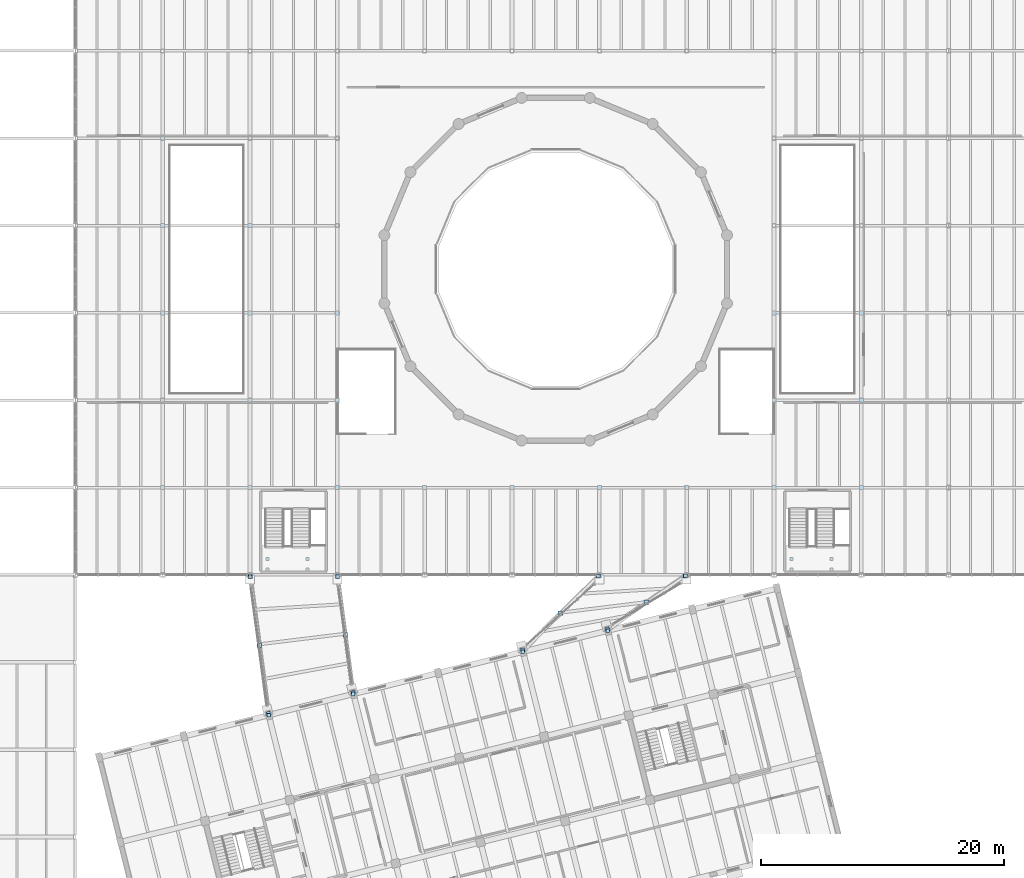
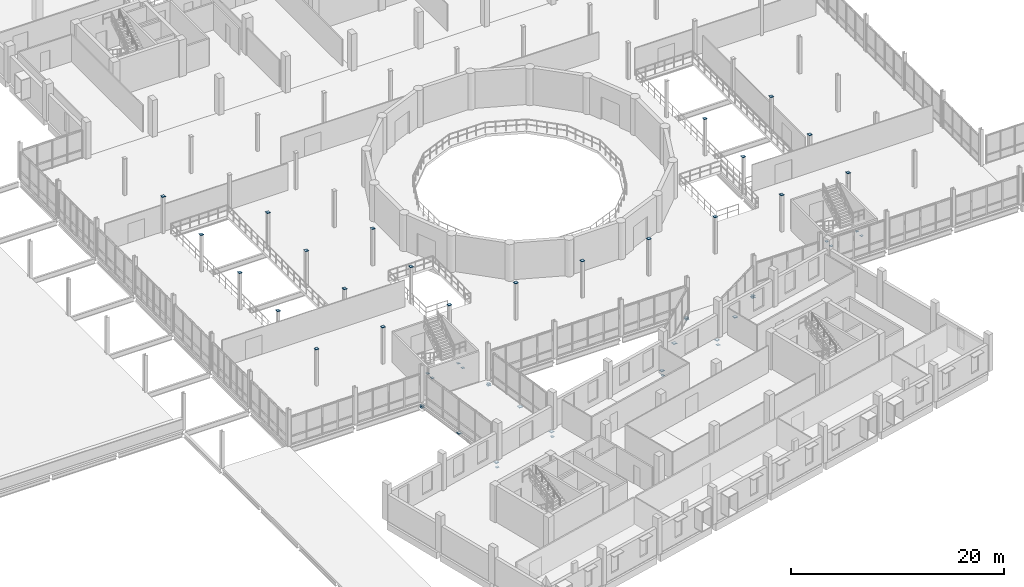
# One storey, part 52 of 72: 50 plates.
"""IFC4 building model written with IfcOpenShell, lengths in metres."""

from ifc_helpers import new_model, si_unit, direction, frame, origin, origin_2d, place, context, subcontext, project, spatial, rectangle, extrude, material, layer, layer_set, type_object, element, save


model = new_model("IFC4")

# Units and contexts
model_context = context("Model", 3, precision=1e-05, world=origin(), true_north=direction((0.0, 1.0)))
body_context = subcontext(model_context, "Body", "Model", "MODEL_VIEW")
ifc_project = project(units=[si_unit("LENGTHUNIT", "METRE"), si_unit("AREAUNIT", "SQUARE_METRE"), si_unit("VOLUMEUNIT", "CUBIC_METRE"), si_unit("PLANEANGLEUNIT", "RADIAN"), si_unit("MASSUNIT", "GRAM", prefix="KILO")], contexts=[model_context])

# Site, building, storey
site_placement = place(None, origin())
site = spatial("IfcSite", under=ifc_project, at=site_placement, CompositionType="ELEMENT")
building_placement = place(site_placement, origin())
building = spatial("IfcBuilding", under=site, at=building_placement, Name="Qiaolan Assembly House", CompositionType="ELEMENT")
storey_placement = place(building_placement, frame((0.0, 0.0, 10.199951171875)))
storey = spatial("IfcBuildingStorey", under=building, at=storey_placement, Name="L02", CompositionType="ELEMENT", Elevation=10.199951171875)

# Plates
ifc_material = material(Name="Steel Q355B", Category="steel")
ifc_layer_1 = layer(ifc_material, 0.02001953125)
ifc_layer_set_1 = layer_set([ifc_layer_1], Name="Steel Q355B")
plate_type_1 = type_object("IfcPlateType", Name="PLT-CAP-STL-20", PredefinedType="SHEET", material=ifc_layer_set_1)
for number, where, z_axis, x_axis, name in (
    (1, (36.0, 43.199951171875, 4.18994140625), (0.0, 0.0, 1.0), (1.0, 0.0, 0.0), "NP-04 steel hollow-section seal cap plate 115"),
    (2, (36.0, 50.39990234375, 4.18994140625), (0.0, 0.0, 1.0), (1.0, 0.0, 0.0), "NP-04 steel hollow-section seal cap plate 116"),
    (3, (36.0, 57.60009765625, 4.18994140625), (0.0, 0.0, 1.0), (1.0, 0.0, 0.0), "NP-04 steel hollow-section seal cap plate 117"),
    (4, (36.0, 64.800048828125, 4.18994140625), (0.0, 0.0, 1.0), (1.0, 0.0, 0.0), "NP-04 steel hollow-section seal cap plate 118"),
    (5, (36.0, 72.0, 4.18994140625), (0.0, 0.0, 1.0), (1.0, 0.0, 0.0), "NP-04 steel hollow-section seal cap plate 119"),
    (6, (43.199951171875, 43.199951171875, 4.18994140625), (0.0, 0.0, 1.0), (1.0, 0.0, 0.0), "NP-04 steel hollow-section seal cap plate 121"),
    (7, (43.199951171875, 50.39990234375, 4.18994140625), (0.0, 0.0, 1.0), (1.0, 0.0, 0.0), "NP-04 steel hollow-section seal cap plate 122"),
    (8, (43.199951171875, 57.60009765625, 4.18994140625), (0.0, 0.0, 1.0), (1.0, 0.0, 0.0), "NP-04 steel hollow-section seal cap plate 123"),
    (9, (43.199951171875, 64.800048828125, 4.18994140625), (0.0, 0.0, 1.0), (1.0, 0.0, 0.0), "NP-04 steel hollow-section seal cap plate 124"),
    (10, (50.39990234375, 43.199951171875, 4.18994140625), (0.0, 0.0, 1.0), (1.0, 0.0, 0.0), "NP-04 steel hollow-section seal cap plate 127"),
    (11, (50.39990234375, 50.39990234375, 4.18994140625), (0.0, 0.0, 1.0), (1.0, 0.0, 0.0), "NP-04 steel hollow-section seal cap plate 128"),
    (12, (50.39990234375, 57.60009765625, 4.18994140625), (0.0, 0.0, 1.0), (1.0, 0.0, 0.0), "NP-04 steel hollow-section seal cap plate 129"),
    (13, (57.60009765625, 43.199951171875, 4.18994140625), (0.0, 0.0, 1.0), (1.0, 0.0, 0.0), "NP-04 steel hollow-section seal cap plate 133"),
    (14, (64.800048828125, 43.199951171875, 4.18994140625), (0.0, 0.0, 1.0), (1.0, 0.0, 0.0), "NP-04 steel hollow-section seal cap plate 135"),
    (15, (72.0, 43.199951171875, 4.18994140625), (0.0, 0.0, 1.0), (1.0, 0.0, 0.0), "NP-04 steel hollow-section seal cap plate 137"),
    (16, (79.199951171875, 43.199951171875, 4.18994140625), (0.0, 0.0, 1.0), (1.0, 0.0, 0.0), "NP-04 steel hollow-section seal cap plate 139"),
    (17, (86.39990234375, 43.199951171875, 4.18994140625), (0.0, 0.0, 1.0), (1.0, 0.0, 0.0), "NP-04 steel hollow-section seal cap plate 141"),
    (18, (86.39990234375, 50.39990234375, 4.18994140625), (0.0, 0.0, 1.0), (1.0, 0.0, 0.0), "NP-04 steel hollow-section seal cap plate 142"),
    (19, (86.39990234375, 57.60009765625, 4.18994140625), (0.0, 0.0, 1.0), (1.0, 0.0, 0.0), "NP-04 steel hollow-section seal cap plate 143"),
    (20, (93.60009765625, 43.199951171875, 4.18994140625), (0.0, 0.0, 1.0), (1.0, 0.0, 0.0), "NP-04 steel hollow-section seal cap plate 147"),
    (21, (93.60009765625, 50.39990234375, 4.18994140625), (0.0, 0.0, 1.0), (1.0, 0.0, 0.0), "NP-04 steel hollow-section seal cap plate 148"),
    (22, (93.60009765625, 57.60009765625, 4.18994140625), (0.0, 0.0, 1.0), (1.0, 0.0, 0.0), "NP-04 steel hollow-section seal cap plate 149"),
):
    element("IfcPlate", number, at=place(storey_placement, frame(where, z_axis=z_axis, x_axis=x_axis)), inside=storey, type_object=plate_type_1, Name=name, PredefinedType="SHEET", context=body_context, shape_type="SweptSolid", body=[
        extrude(rectangle(XDim=0.340087890625, YDim=0.340087890625, at=origin_2d()), origin(), (0.0, 0.0, 1.0), 0.02001953125),
    ])
for number, where, z_axis, x_axis, name in (
    (23, (44.746826171875, 24.442138671875, -1.06103515625), (0.0, 0.0, 1.0), (1.0, 0.0, 0.0), "NP-04 steel hollow-section seal cap plate 231"),
    (24, (43.218505859375, 35.861328125, -0.375), (0.0, 0.0, 1.0), (1.0, 0.0, 0.0), "NP-04 steel hollow-section seal cap plate 232"),
    (25, (51.73291015625, 26.183837890625, -1.06103515625), (0.0, 0.0, 1.0), (1.0, 0.0, 0.0), "NP-04 steel hollow-section seal cap plate 233"),
    (26, (50.418701171875, 35.861328125, -0.375), (0.0, 0.0, 1.0), (1.0, 0.0, 0.0), "NP-04 steel hollow-section seal cap plate 234"),
    (27, (65.705078125, 29.66748046875, -1.06103515625), (0.0, 0.0, 1.0), (1.0, 0.0, 0.0), "NP-04 steel hollow-section seal cap plate 235"),
    (28, (71.900146484375, 35.90185546875, -0.375), (0.0, 0.0, 1.0), (1.0, 0.0, 0.0), "NP-04 steel hollow-section seal cap plate 236"),
    (29, (72.691162109375, 31.409423828125, -1.06103515625), (0.0, 0.0, 1.0), (1.0, 0.0, 0.0), "NP-04 steel hollow-section seal cap plate 237"),
    (30, (79.08447265625, 35.9208984375, -0.375), (0.0, 0.0, 1.0), (1.0, 0.0, 0.0), "NP-04 steel hollow-section seal cap plate 238"),
):
    element("IfcPlate", number, at=place(storey_placement, frame(where, z_axis=z_axis, x_axis=x_axis)), inside=storey, type_object=plate_type_1, Name=name, PredefinedType="SHEET", context=body_context, shape_type="SweptSolid", body=[
        extrude(rectangle(XDim=0.2900390625, YDim=0.2900390625, at=origin_2d()), origin(), (0.0, 0.0, 1.0), 0.02001953125),
    ])
for number, where, z_axis, x_axis, name in (
    (31, (44.64990234375, 36.449951171875, 1.91015625), (0.0, 0.0, 1.0), (1.0, 0.0, 0.0), "NP-04 steel hollow-section seal cap plate 352"),
    (32, (47.949951171875, 36.449951171875, 1.91015625), (0.0, 0.0, 1.0), (1.0, 0.0, 0.0), "NP-04 steel hollow-section seal cap plate 356"),
    (33, (44.64990234375, 37.300048828125, 1.91015625), (0.0, 0.0, 1.0), (1.0, 0.0, 0.0), "NP-04 steel hollow-section seal cap plate 360"),
    (34, (47.949951171875, 37.300048828125, 1.91015625), (0.0, 0.0, 1.0), (1.0, 0.0, 0.0), "NP-04 steel hollow-section seal cap plate 364"),
    (35, (87.85009765625, 36.449951171875, 1.91015625), (0.0, 0.0, 1.0), (1.0, 0.0, 0.0), "NP-04 steel hollow-section seal cap plate 368"),
    (36, (91.14990234375, 36.449951171875, 1.91015625), (0.0, 0.0, 1.0), (1.0, 0.0, 0.0), "NP-04 steel hollow-section seal cap plate 372"),
    (37, (87.85009765625, 37.300048828125, 1.91015625), (0.0, 0.0, 1.0), (1.0, 0.0, 0.0), "NP-04 steel hollow-section seal cap plate 376"),
    (38, (91.14990234375, 37.300048828125, 1.91015625), (0.0, 0.0, 1.0), (1.0, 0.0, 0.0), "NP-04 steel hollow-section seal cap plate 380"),
):
    element("IfcPlate", number, at=place(storey_placement, frame(where, z_axis=z_axis, x_axis=x_axis)), inside=storey, type_object=plate_type_1, Name=name, PredefinedType="SHEET", context=body_context, shape_type="SweptSolid", body=[
        extrude(rectangle(XDim=0.260009765625, YDim=0.260009765625, at=origin_2d()), origin(), (0.0, 0.0, 1.0), 0.02001953125),
    ])
ifc_layer_2 = layer(ifc_material, 0.02490234375)
ifc_layer_set_2 = layer_set([ifc_layer_2], Name="Steel Q355B")
plate_type_2 = type_object("IfcPlateType", Name="PLT-SEAT-PTFE-450", PredefinedType="SHEET", material=ifc_layer_set_2)
for number, where, z_axis, x_axis, name in (
    (39, (44.7177734375, 24.55859375, -0.57568359375), (0.0, 0.0, 1.0), (0.970295726276, 0.2419218956, 0.0), "NP-03 unguided PTFE elastomeric sliding bearing WB L02 SE"),
    (40, (43.218505859375, 35.861328125, -0.57568359375), (0.0, 0.0, 1.0), (1.0, 0.0, 0.0), "NP-03 unguided PTFE elastomeric sliding bearing WB L02 HL"),
):
    element("IfcPlate", number, at=place(storey_placement, frame(where, z_axis=z_axis, x_axis=x_axis)), inside=storey, type_object=plate_type_2, Name=name, PredefinedType="SHEET", context=body_context, shape_type="SweptSolid", body=[
        extrude(rectangle(XDim=0.35009765625, YDim=0.35009765625, at=origin_2d()), origin(), (0.0, 0.0, 1.0), 0.035888671875),
    ])
plate_1_placement = place(storey_placement, frame((43.968017578125, 30.2099609375, -0.37890625), z_axis=(0.0, 0.0, 1.0), x_axis=(1.0, 0.0, 0.0)))
element("IfcPlate", 41, at=plate_1_placement, inside=storey, type_object=plate_type_2, Name="NP-03 skybridge brace gusset node plate WB L02", PredefinedType="SHEET", context=body_context, shape_type="SweptSolid", body=[
    extrude(rectangle(XDim=0.3798828125, YDim=0.3798828125, at=origin_2d()), origin(), (0.0, 0.0, 1.0), 0.028076171875),
])
for number, where, z_axis, x_axis, name in (
    (42, (51.703857421875, 26.30029296875, -0.57568359375), (0.0, 0.0, 1.0), (0.970295726276, 0.2419218956, 0.0), "NP-03 unguided PTFE elastomeric sliding bearing WB L02 SE"),
    (43, (50.418701171875, 35.861328125, -0.57568359375), (0.0, 0.0, 1.0), (1.0, 0.0, 0.0), "NP-03 unguided PTFE elastomeric sliding bearing WB L02 HL"),
):
    element("IfcPlate", number, at=place(storey_placement, frame(where, z_axis=z_axis, x_axis=x_axis)), inside=storey, type_object=plate_type_2, Name=name, PredefinedType="SHEET", context=body_context, shape_type="SweptSolid", body=[
        extrude(rectangle(XDim=0.35009765625, YDim=0.35009765625, at=origin_2d()), origin(), (0.0, 0.0, 1.0), 0.035888671875),
    ])
plate_2_placement = place(storey_placement, frame((51.061279296875, 31.080810546875, -0.37890625), z_axis=(0.0, 0.0, 1.0), x_axis=(1.0, 0.0, 0.0)))
element("IfcPlate", 44, at=plate_2_placement, inside=storey, type_object=plate_type_2, Name="NP-03 skybridge brace gusset node plate WB L02", PredefinedType="SHEET", context=body_context, shape_type="SweptSolid", body=[
    extrude(rectangle(XDim=0.3798828125, YDim=0.3798828125, at=origin_2d()), origin(), (0.0, 0.0, 1.0), 0.028076171875),
])
for number, where, z_axis, x_axis, name in (
    (45, (65.676025390625, 29.783935546875, -0.57568359375), (0.0, 0.0, 1.0), (0.970295726276, 0.2419218956, 0.0), "NP-03 unguided PTFE elastomeric sliding bearing EB L02 SE"),
    (46, (71.900146484375, 35.90185546875, -0.57568359375), (0.0, 0.0, 1.0), (1.0, 0.0, 0.0), "NP-03 unguided PTFE elastomeric sliding bearing EB L02 HL"),
):
    element("IfcPlate", number, at=place(storey_placement, frame(where, z_axis=z_axis, x_axis=x_axis)), inside=storey, type_object=plate_type_2, Name=name, PredefinedType="SHEET", context=body_context, shape_type="SweptSolid", body=[
        extrude(rectangle(XDim=0.35009765625, YDim=0.35009765625, at=origin_2d()), origin(), (0.0, 0.0, 1.0), 0.035888671875),
    ])
plate_3_placement = place(storey_placement, frame((68.7880859375, 32.843017578125, -0.37890625), z_axis=(0.0, 0.0, 1.0), x_axis=(1.0, 0.0, 0.0)))
element("IfcPlate", 47, at=plate_3_placement, inside=storey, type_object=plate_type_2, Name="NP-03 skybridge brace gusset node plate EB L02", PredefinedType="SHEET", context=body_context, shape_type="SweptSolid", body=[
    extrude(rectangle(XDim=0.3798828125, YDim=0.3798828125, at=origin_2d()), origin(), (0.0, 0.0, 1.0), 0.028076171875),
])
for number, where, z_axis, x_axis, name in (
    (48, (72.662353515625, 31.52587890625, -0.57568359375), (0.0, 0.0, 1.0), (0.970295726276, 0.2419218956, 0.0), "NP-03 unguided PTFE elastomeric sliding bearing EB L02 SE"),
    (49, (79.08447265625, 35.9208984375, -0.57568359375), (0.0, 0.0, 1.0), (1.0, 0.0, 0.0), "NP-03 unguided PTFE elastomeric sliding bearing EB L02 HL"),
):
    element("IfcPlate", number, at=place(storey_placement, frame(where, z_axis=z_axis, x_axis=x_axis)), inside=storey, type_object=plate_type_2, Name=name, PredefinedType="SHEET", context=body_context, shape_type="SweptSolid", body=[
        extrude(rectangle(XDim=0.35009765625, YDim=0.35009765625, at=origin_2d()), origin(), (0.0, 0.0, 1.0), 0.035888671875),
    ])
plate_4_placement = place(storey_placement, frame((75.873291015625, 33.723388671875, -0.37890625), z_axis=(0.0, 0.0, 1.0), x_axis=(1.0, 0.0, 0.0)))
element("IfcPlate", 50, at=plate_4_placement, inside=storey, type_object=plate_type_2, Name="NP-03 skybridge brace gusset node plate EB L02", PredefinedType="SHEET", context=body_context, shape_type="SweptSolid", body=[
    extrude(rectangle(XDim=0.3798828125, YDim=0.3798828125, at=origin_2d()), origin(), (0.0, 0.0, 1.0), 0.028076171875),
])

save(model, "model.ifc")
